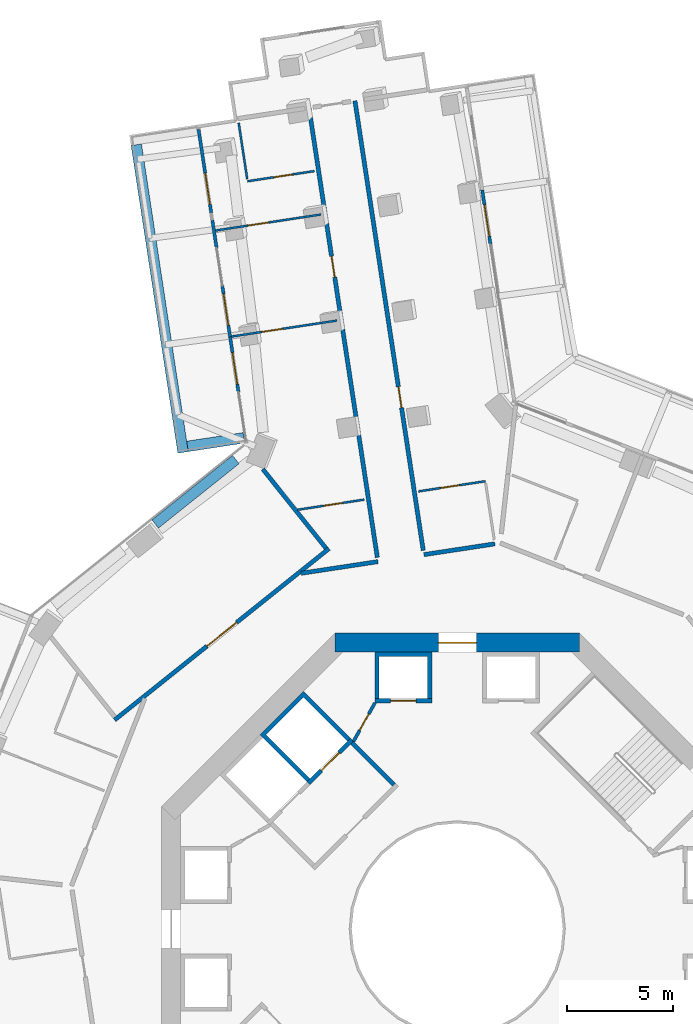
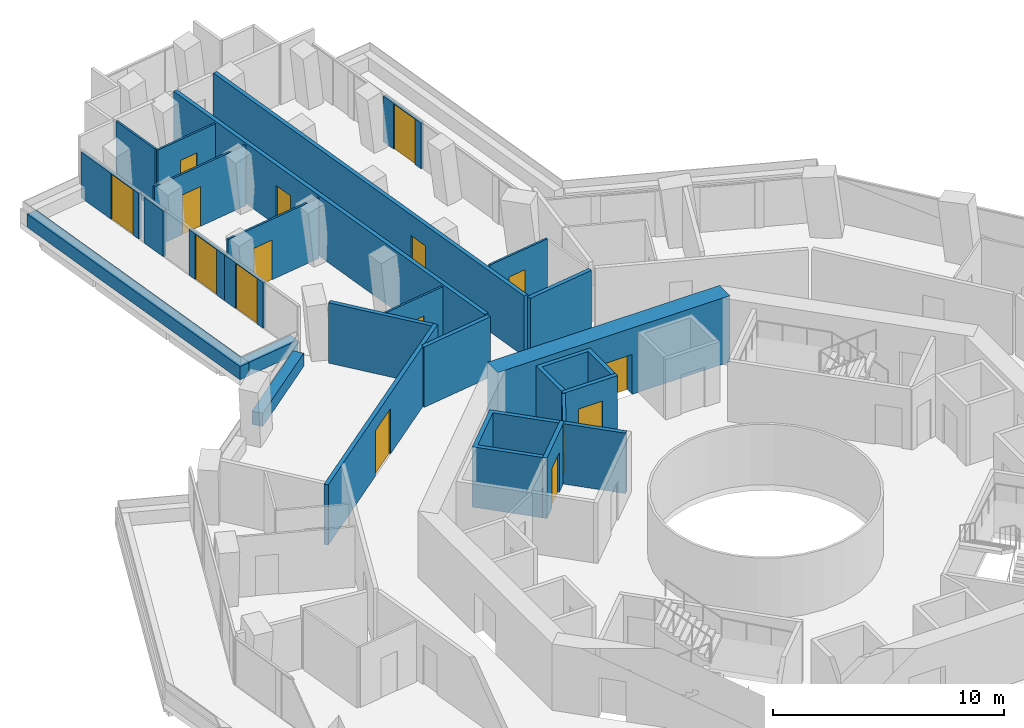
# One storey, part 23 of 28: 27 walls, 16 doors, 16 openings.
"""IFC4 building model written with IfcOpenShell, lengths in metres."""

from ifc_helpers import new_model, si_unit, direction, frame, frame_2d, origin, place, context, subcontext, project, spatial, polyline, rectangle, outline, extrude, material, layer, layer_set, type_object, element, fill, save


model = new_model("IFC4")

# Units and contexts
model_context = context("Model", 3, precision=1e-05, world=origin(), true_north=direction((0.0, 1.0)))
body_context = subcontext(model_context, "Body", "Model", "MODEL_VIEW")
ifc_project = project(units=[si_unit("LENGTHUNIT", "METRE"), si_unit("AREAUNIT", "SQUARE_METRE"), si_unit("VOLUMEUNIT", "CUBIC_METRE"), si_unit("PLANEANGLEUNIT", "RADIAN"), si_unit("MASSUNIT", "GRAM", prefix="KILO")], contexts=[model_context])

# Site, building, storey
site_placement = place(None, origin())
site = spatial("IfcSite", under=ifc_project, at=site_placement, CompositionType="ELEMENT")
building_placement = place(site_placement, origin())
building = spatial("IfcBuilding", under=site, at=building_placement, Name="Verdalira Terraces Hotel", CompositionType="ELEMENT")
storey_placement = place(building_placement, frame((0.0, 0.0, 68.0)))
storey = spatial("IfcBuildingStorey", under=building, at=storey_placement, Name="L15", CompositionType="ELEMENT", Elevation=68.0)

# Walls
ifc_material_1 = material(Name="Concrete C40", Category="concrete")
ifc_layer_1 = layer(ifc_material_1, 0.5)
ifc_layer_set_1 = layer_set([ifc_layer_1], Name="Balcony planter trough with tree")
wall_type_1 = type_object("IfcWallType", Name="Balcony planter trough with tree", PredefinedType="SOLIDWALL", material=ifc_layer_set_1)
wall_1_placement = place(storey_placement, frame((-15.200928, 37.134033, 0.0), z_axis=(0.0, 0.0, 1.0), x_axis=(0.150217083, -0.988653037, 0.0)))
element("IfcWall", 1, at=wall_1_placement, inside=storey, type_object=wall_type_1, Name="Balcony planter", PredefinedType="SOLIDWALL", context=body_context, shape_type="SweptSolid", body=[
    extrude(rectangle(XDim=14.737793, YDim=0.5, at=frame_2d((7.368896, 0.0))), origin(), (0.0, 0.0, 1.0), 0.699951),
])
wall_2_placement = place(storey_placement, frame((-12.777344, 22.848145, 0.0), z_axis=(0.0, 0.0, 1.0), x_axis=(0.988649233, 0.15024212, 0.0)))
element("IfcWall", 2, at=wall_2_placement, inside=storey, type_object=wall_type_1, Name="Balcony planter", PredefinedType="SOLIDWALL", context=body_context, shape_type="SweptSolid", body=[
    extrude(rectangle(XDim=2.698975, YDim=0.5, at=frame_2d((1.349609, 0.0))), origin(), (0.0, 0.0, 1.0), 0.699951),
])
ifc_material_2 = material(Name="Moisture-resistant gypsum board partition")
ifc_layer_2 = layer(ifc_material_2, 0.10009765625)
ifc_layer_set_2 = layer_set([ifc_layer_2], Name="Bathroom partition 100 mm")
wall_type_2 = type_object("IfcWallType", Name="Bathroom partition 100 mm", PredefinedType="PARTITIONING", material=ifc_layer_set_2)
wall_3_placement = place(storey_placement, frame((-10.352295, 38.174316, 0.0), z_axis=(0.0, 0.0, 1.0), x_axis=(0.150276776, -0.988643966, 0.0)))
element("IfcWall", 3, at=wall_3_placement, inside=storey, type_object=wall_type_2, Name="Bathroom partition", PredefinedType="PARTITIONING", context=body_context, shape_type="SweptSolid", body=[
    extrude(rectangle(XDim=2.700195, YDim=0.100098, at=frame_2d((1.350098, 0.0))), origin(), (0.0, 0.0, 1.0), 3.189941),
])

# Wall, opening, door
wall_4_placement = place(storey_placement, frame((-11.448242, 33.07251, 0.0), z_axis=(0.0, 0.0, 1.0), x_axis=(0.988654449, 0.150207793, 0.0)))
wall_4 = element("IfcWall", 4, at=wall_4_placement, inside=storey, type_object=wall_type_2, Name="Bathroom partition", PredefinedType="PARTITIONING", context=body_context, shape_type="SweptSolid", body=[
    extrude(rectangle(XDim=5.050049, YDim=0.100098, at=frame_2d((2.524902, 0.0))), origin(), (0.0, 0.0, 1.0), 3.189941),
])
opening_1_placement = place(wall_4_placement, frame((1.550049, 0.0, 0.0)))
opening_1 = element("IfcOpeningElement", 5, at=opening_1_placement, cuts=wall_4, Name="Opening L15-105", PredefinedType="OPENING", context=body_context, shape_type="SweptSolid", body=[
    extrude(rectangle(XDim=1.0, YDim=2.100098, at=frame_2d((0.5, 1.050049))), frame((0.0, 0.060059, 0.0), z_axis=(0.0, -1.0, 0.0), x_axis=(1.0, 0.0, 0.0)), (0.0, 0.0, 1.0), 0.120117),
])
ifc_material_3 = material(Name="Timber door", Category="wood")
door_type_1 = type_object("IfcDoorType", Name="Suite internal door 1000 x 2100", OperationType="NOTDEFINED", PredefinedType="DOOR", material=ifc_material_3)
door_1_placement = place(opening_1_placement, origin())
door_1 = element("IfcDoor", 6, at=door_1_placement, inside=storey, type_object=door_type_1, Name="Suite internal door 1503", OperationType="SINGLE_SWING_LEFT", OverallHeight=2.10009765625, OverallWidth=1.0, PredefinedType="DOOR", context=body_context, shape_type="SweptSolid", body=[
    extrude(rectangle(XDim=1.0, YDim=2.100098, at=frame_2d((0.5, 1.050049))), frame((0.0, 0.024902, 0.0), z_axis=(0.0, -1.0, 0.0), x_axis=(1.0, 0.0, 0.0)), (0.0, 0.0, 1.0), 0.050049),
])
fill(opening_1, door_1)

wall_5_placement = place(storey_placement, frame((-9.931641, 35.406006, 0.0), z_axis=(0.0, 0.0, 1.0), x_axis=(0.988653098, 0.15021668, 0.0)))
wall_5 = element("IfcWall", 7, at=wall_5_placement, inside=storey, type_object=wall_type_2, Name="Bathroom partition", PredefinedType="PARTITIONING", context=body_context, shape_type="SweptSolid", body=[
    extrude(rectangle(XDim=3.200195, YDim=0.100098, at=frame_2d((1.600098, 0.0))), origin(), (0.0, 0.0, 1.0), 3.189941),
])
opening_2_placement = place(wall_5_placement, frame((1.25, 0.0, 0.0)))
opening_2 = element("IfcOpeningElement", 8, at=opening_2_placement, cuts=wall_5, Name="Opening L15-107", PredefinedType="OPENING", context=body_context, shape_type="SweptSolid", body=[
    extrude(rectangle(XDim=0.899902, YDim=2.100098, at=frame_2d((0.449951, 1.050049))), frame((0.0, 0.060059, 0.0), z_axis=(0.0, -1.0, 0.0), x_axis=(1.0, 0.0, 0.0)), (0.0, 0.0, 1.0), 0.120117),
])
ifc_material_4 = material(Name="Timber door", Category="wood")
door_type_2 = type_object("IfcDoorType", Name="Bathroom door 900 x 2100", OperationType="NOTDEFINED", PredefinedType="DOOR", material=ifc_material_4)
door_2_placement = place(opening_2_placement, origin())
door_2 = element("IfcDoor", 9, at=door_2_placement, inside=storey, type_object=door_type_2, Name="Bathroom door 1503", OperationType="SINGLE_SWING_LEFT", OverallHeight=2.10009765625, OverallWidth=0.89990234375, PredefinedType="DOOR", context=body_context, shape_type="SweptSolid", body=[
    extrude(rectangle(XDim=0.899902, YDim=2.100098, at=frame_2d((0.449951, 1.050049))), frame((0.0, 0.024902, 0.0), z_axis=(0.0, -1.0, 0.0), x_axis=(1.0, 0.0, 0.0)), (0.0, 0.0, 1.0), 0.050049),
])
fill(opening_2, door_2)

wall_6_placement = place(storey_placement, frame((-5.692383, 28.809326, 0.0), z_axis=(0.0, 0.0, 1.0), x_axis=(-0.988655539, -0.150200614, 0.0)))
wall_6 = element("IfcWall", 10, at=wall_6_placement, inside=storey, type_object=wall_type_2, Name="Bathroom partition", PredefinedType="PARTITIONING", context=body_context, shape_type="SweptSolid", body=[
    extrude(rectangle(XDim=5.050293, YDim=0.100098, at=frame_2d((2.525146, 0.0))), origin(), (0.0, 0.0, 1.0), 3.189941),
])
opening_3_placement = place(wall_6_placement, frame((2.600098, 0.0, 0.0)))
opening_3 = element("IfcOpeningElement", 11, at=opening_3_placement, cuts=wall_6, Name="Opening L15-106", PredefinedType="OPENING", context=body_context, shape_type="SweptSolid", body=[
    extrude(rectangle(XDim=1.0, YDim=2.100098, at=frame_2d((0.5, 1.050049))), frame((0.0, 0.060059, 0.0), z_axis=(0.0, -1.0, 0.0), x_axis=(1.0, 0.0, 0.0)), (0.0, 0.0, 1.0), 0.120117),
])
door_3_placement = place(opening_3_placement, origin())
door_3 = element("IfcDoor", 12, at=door_3_placement, inside=storey, type_object=door_type_1, Name="Suite internal door 1503", OperationType="SINGLE_SWING_LEFT", OverallHeight=2.10009765625, OverallWidth=1.0, PredefinedType="DOOR", context=body_context, shape_type="SweptSolid", body=[
    extrude(rectangle(XDim=1.0, YDim=2.100098, at=frame_2d((0.5, 1.050049))), frame((0.0, 0.024902, 0.0), z_axis=(0.0, -1.0, 0.0), x_axis=(1.0, 0.0, 0.0)), (0.0, 0.0, 1.0), 0.050049),
])
fill(opening_3, door_3)

wall_7_placement = place(storey_placement, frame((-4.403809, 20.327393, 0.0), z_axis=(0.0, 0.0, 1.0), x_axis=(-0.988657544, -0.150187422, 0.0)))
wall_7 = element("IfcWall", 13, at=wall_7_placement, inside=storey, type_object=wall_type_2, Name="Bathroom partition", PredefinedType="PARTITIONING", context=body_context, shape_type="SweptSolid", body=[
    extrude(rectangle(XDim=3.199219, YDim=0.100098, at=frame_2d((1.599609, 0.0))), origin(), (0.0, 0.0, 1.0), 3.189941),
])
opening_4_placement = place(wall_7_placement, frame((1.050049, 0.0, 0.0)))
opening_4 = element("IfcOpeningElement", 14, at=opening_4_placement, cuts=wall_7, Name="Opening L15-108", PredefinedType="OPENING", context=body_context, shape_type="SweptSolid", body=[
    extrude(rectangle(XDim=0.899902, YDim=2.100098, at=frame_2d((0.449951, 1.050049))), frame((0.0, 0.060059, 0.0), z_axis=(0.0, -1.0, 0.0), x_axis=(1.0, 0.0, 0.0)), (0.0, 0.0, 1.0), 0.120117),
])
door_4_placement = place(opening_4_placement, origin())
door_4 = element("IfcDoor", 15, at=door_4_placement, inside=storey, type_object=door_type_2, Name="Bathroom door 1503", OperationType="SINGLE_SWING_RIGHT", OverallHeight=2.10009765625, OverallWidth=0.89990234375, PredefinedType="DOOR", context=body_context, shape_type="SweptSolid", body=[
    extrude(rectangle(XDim=0.899902, YDim=2.100098, at=frame_2d((0.449951, 1.050049))), frame((0.0, 0.024902, 0.0), z_axis=(0.0, -1.0, 0.0), x_axis=(1.0, 0.0, 0.0)), (0.0, 0.0, 1.0), 0.050049),
])
fill(opening_4, door_4)

wall_8_placement = place(storey_placement, frame((1.330566, 21.19873, 0.0), z_axis=(0.0, 0.0, 1.0), x_axis=(-0.988653098, -0.15021668, 0.0)))
wall_8 = element("IfcWall", 16, at=wall_8_placement, inside=storey, type_object=wall_type_2, Name="Bathroom partition", PredefinedType="PARTITIONING", context=body_context, shape_type="SweptSolid", body=[
    extrude(rectangle(XDim=3.200195, YDim=0.100098, at=frame_2d((1.600098, 0.0))), origin(), (0.0, 0.0, 1.0), 3.189941),
])
opening_5_placement = place(wall_8_placement, frame((1.25, 0.0, 0.0)))
opening_5 = element("IfcOpeningElement", 17, at=opening_5_placement, cuts=wall_8, Name="Opening L15-102", PredefinedType="OPENING", context=body_context, shape_type="SweptSolid", body=[
    extrude(rectangle(XDim=0.899902, YDim=2.100098, at=frame_2d((0.449951, 1.050049))), frame((0.0, 0.060059, 0.0), z_axis=(0.0, -1.0, 0.0), x_axis=(1.0, 0.0, 0.0)), (0.0, 0.0, 1.0), 0.120117),
])
door_5_placement = place(opening_5_placement, origin())
door_5 = element("IfcDoor", 18, at=door_5_placement, inside=storey, type_object=door_type_2, Name="Bathroom door 1501", OperationType="SINGLE_SWING_LEFT", OverallHeight=2.10009765625, OverallWidth=0.89990234375, PredefinedType="DOOR", context=body_context, shape_type="SweptSolid", body=[
    extrude(rectangle(XDim=0.899902, YDim=2.100098, at=frame_2d((0.449951, 1.050049))), frame((0.0, 0.024902, 0.0), z_axis=(0.0, -1.0, 0.0), x_axis=(1.0, 0.0, 0.0)), (0.0, 0.0, 1.0), 0.050049),
])
fill(opening_5, door_5)

# Wall
ifc_material_5 = material(Name="Concrete C50", Category="concrete")
ifc_layer_3 = layer(ifc_material_5, 0.199951171875)
ifc_layer_set_3 = layer_set([ifc_layer_3], Name="Core RC wall 200 C50")
wall_type_3 = type_object("IfcWallType", Name="Core RC wall 200 C50", PredefinedType="SOLIDWALL", material=ifc_layer_set_3)
wall_9_placement = place(storey_placement, origin())
element("IfcWall", 19, at=wall_9_placement, inside=storey, type_object=wall_type_3, Name="L15 shaft wall N2", PredefinedType="SOLIDWALL", context=body_context, shape_type="SweptSolid", body=[
    extrude(outline(polyline([(-3.899902, 10.899902), (-3.899902, 13.100098), (-1.199951, 13.100098), (-1.199951, 10.899902), (-1.399902, 10.899902), (-1.399902, 12.899902), (-3.699951, 12.899902), (-3.699951, 10.899902), (-3.899902, 10.899902)])), origin(), (0.0, 0.0, 1.0), 3.189941),
])

# Wall, opening, door
wall_10_placement = place(storey_placement, frame((-1.199951, 10.800049, 0.0), z_axis=(0.0, 0.0, 1.0), x_axis=(-1.0, 0.0, 0.0)))
wall_10 = element("IfcWall", 20, at=wall_10_placement, inside=storey, type_object=wall_type_3, Name="L15 shaft front wall N2", PredefinedType="SOLIDWALL", context=body_context, shape_type="SweptSolid", body=[
    extrude(rectangle(XDim=2.699951, YDim=0.199951, at=frame_2d((1.350098, 0.0))), origin(), (0.0, 0.0, 1.0), 3.189941),
])
opening_6_placement = place(wall_10_placement, frame((0.75, 0.0, 0.0)))
opening_6 = element("IfcOpeningElement", 21, at=opening_6_placement, cuts=wall_10, Name="Opening LD-L15-804", PredefinedType="OPENING", context=body_context, shape_type="SweptSolid", body=[
    extrude(rectangle(XDim=1.199951, YDim=2.100098, at=frame_2d((0.600098, 1.050049))), frame((0.0, 0.109863, 0.0), z_axis=(0.0, -1.0, 0.0), x_axis=(1.0, 0.0, 0.0)), (0.0, 0.0, 1.0), 0.219971),
])
ifc_material_6 = material(Name="Stainless steel", Category="steel")
door_type_3 = type_object("IfcDoorType", Name="Landing door 1200 x 2100", OperationType="NOTDEFINED", PredefinedType="DOOR", material=ifc_material_6)
door_6_placement = place(opening_6_placement, origin())
door_6 = element("IfcDoor", 22, at=door_6_placement, inside=storey, type_object=door_type_3, Name="Lift landing door LR4 L15", OperationType="DOUBLE_DOOR_SLIDING", OverallHeight=2.10009765625, OverallWidth=1.199951171875, PredefinedType="DOOR", context=body_context, shape_type="SweptSolid", body=[
    extrude(rectangle(XDim=1.199951, YDim=2.100098, at=frame_2d((0.600098, 1.050049))), frame((0.0, 0.024902, 0.0), z_axis=(0.0, -1.0, 0.0), x_axis=(1.0, 0.0, 0.0)), (0.0, 0.0, 1.0), 0.050049),
])
fill(opening_6, door_6)

# Wall
wall_11_placement = place(storey_placement, origin())
element("IfcWall", 23, at=wall_11_placement, inside=storey, type_object=wall_type_3, Name="L15 shaft wall F1", PredefinedType="SOLIDWALL", context=body_context, shape_type="SweptSolid", body=[
    extrude(outline(polyline([(-9.33374, 9.192383), (-7.283203, 11.24292), (-5.055908, 9.015625), (-5.197266, 8.874268), (-7.283203, 10.960205), (-9.051025, 9.192383), (-6.965088, 7.106445), (-7.106445, 6.965088), (-9.33374, 9.192383)])), origin(), (0.0, 0.0, 1.0), 3.189941),
])

# Wall, opening, door
wall_12_placement = place(storey_placement, frame((-4.985107, 8.944824, 0.0), z_axis=(0.0, 0.0, 1.0), x_axis=(-0.707106781, -0.707106781, 0.0)))
wall_12 = element("IfcWall", 24, at=wall_12_placement, inside=storey, type_object=wall_type_3, Name="L15 shaft front wall F1", PredefinedType="SOLIDWALL", context=body_context, shape_type="SweptSolid", body=[
    extrude(rectangle(XDim=2.899902, YDim=0.199951, at=frame_2d((1.449951, 0.0))), origin(), (0.0, 0.0, 1.0), 3.189941),
])
opening_7_placement = place(wall_12_placement, frame((0.850098, 0.0, 0.0)))
opening_7 = element("IfcOpeningElement", 25, at=opening_7_placement, cuts=wall_12, Name="Opening LD-L15-807", PredefinedType="OPENING", context=body_context, shape_type="SweptSolid", body=[
    extrude(rectangle(XDim=1.199951, YDim=2.100098, at=frame_2d((0.600098, 1.050049))), frame((0.0, 0.109863, 0.0), z_axis=(0.0, -1.0, 0.0), x_axis=(1.0, 0.0, 0.0)), (0.0, 0.0, 1.0), 0.219971),
])
door_7_placement = place(opening_7_placement, origin())
door_7 = element("IfcDoor", 26, at=door_7_placement, inside=storey, type_object=door_type_3, Name="Lift landing door LF11 L15", OperationType="DOUBLE_DOOR_SLIDING", OverallHeight=2.10009765625, OverallWidth=1.199951171875, PredefinedType="DOOR", context=body_context, shape_type="SweptSolid", body=[
    extrude(rectangle(XDim=1.199951, YDim=2.100098, at=frame_2d((0.600098, 1.050049))), frame((0.0, 0.024902, 0.0), z_axis=(0.0, -1.0, 0.0), x_axis=(1.0, 0.0, 0.0)), (0.0, 0.0, 1.0), 0.050049),
])
fill(opening_7, door_7)

# Wall
wall_13_placement = place(storey_placement, frame((-3.005127, 6.823486, 0.0), z_axis=(0.0, 0.0, 1.0), x_axis=(-0.707106781, 0.707106781, 0.0)))
element("IfcWall", 27, at=wall_13_placement, inside=storey, type_object=wall_type_3, Name="L15 fire lobby wall", PredefinedType="SOLIDWALL", context=body_context, shape_type="SweptSolid", body=[
    extrude(rectangle(XDim=2.800049, YDim=0.199951, at=frame_2d((1.399902, 0.0))), origin(), (0.0, 0.0, 1.0), 3.189941),
])

# Wall, opening, door
ifc_material_7 = material(Name="Gypsum board partition")
ifc_layer_4 = layer(ifc_material_7, 0.14990234375)
ifc_layer_set_4 = layer_set([ifc_layer_4], Name="Core partition 150 mm")
wall_type_4 = type_object("IfcWallType", Name="Core partition 150 mm", PredefinedType="PARTITIONING", material=ifc_layer_set_4)
wall_14_placement = place(storey_placement, frame((-3.899902, 10.699951, 0.0), z_axis=(0.0, 0.0, 1.0), x_axis=(-0.485692555, -0.874129705, 0.0)))
wall_14 = element("IfcWall", 28, at=wall_14_placement, inside=storey, type_object=wall_type_4, Name="Room partition L15", PredefinedType="PARTITIONING", context=body_context, shape_type="SweptSolid", body=[
    extrude(rectangle(XDim=2.088623, YDim=0.149902, at=frame_2d((1.044434, 0.0))), origin(), (0.0, 0.0, 1.0), 3.189941),
])
opening_8_placement = place(wall_14_placement, frame((0.594238, 0.0, 0.0)))
opening_8 = element("IfcOpeningElement", 29, at=opening_8_placement, cuts=wall_14, Name="Opening L15-821", PredefinedType="OPENING", context=body_context, shape_type="SweptSolid", body=[
    extrude(rectangle(XDim=0.899902, YDim=2.100098, at=frame_2d((0.449951, 1.050049))), frame((0.0, 0.084961, 0.0), z_axis=(0.0, -1.0, 0.0), x_axis=(1.0, 0.0, 0.0)), (0.0, 0.0, 1.0), 0.169922),
])
ifc_material_8 = material(Name="Steel fire door", Category="steel")
door_type_4 = type_object("IfcDoorType", Name="Core room door 900 x 2100", OperationType="NOTDEFINED", PredefinedType="DOOR", material=ifc_material_8)
door_8_placement = place(opening_8_placement, origin())
door_8 = element("IfcDoor", 30, at=door_8_placement, inside=storey, type_object=door_type_4, Name="Door L15 room2", OperationType="SINGLE_SWING_LEFT", OverallHeight=2.10009765625, OverallWidth=0.89990234375, PredefinedType="DOOR", context=body_context, shape_type="SweptSolid", body=[
    extrude(rectangle(XDim=0.899902, YDim=2.100098, at=frame_2d((0.449951, 1.050049))), frame((0.0, 0.024902, 0.0), z_axis=(0.0, -1.0, 0.0), x_axis=(1.0, 0.0, 0.0)), (0.0, 0.0, 1.0), 0.050049),
])
fill(opening_8, door_8)

ifc_material_9 = material(Name="Concrete C70", Category="concrete")
ifc_layer_5 = layer(ifc_material_9, 0.89990234375)
ifc_layer_set_5 = layer_set([ifc_layer_5], Name="Core wall 900 C70")
wall_type_5 = type_object("IfcWallType", Name="Core wall 900 C70", PredefinedType="SHEAR", material=ifc_layer_set_5)
wall_15_placement = place(storey_placement, frame((5.799072, 13.550049, 0.0), z_axis=(0.0, 0.0, 1.0), x_axis=(-1.0, 0.0, 0.0)))
wall_15 = element("IfcWall", 31, at=wall_15_placement, inside=storey, type_object=wall_type_5, Name="Core wall CW-L15-3", PredefinedType="SHEAR", context=body_context, shape_type="SweptSolid", body=[
    extrude(rectangle(XDim=11.598145, YDim=0.899902, at=frame_2d((5.799072, 0.0))), origin(), (0.0, 0.0, 1.0), 3.5),
])
opening_9_placement = place(wall_15_placement, frame((4.898926, 0.0, 0.0)))
opening_9 = element("IfcOpeningElement", 32, at=opening_9_placement, cuts=wall_15, Name="Opening L15-813", PredefinedType="OPENING", context=body_context, shape_type="SweptSolid", body=[
    extrude(rectangle(XDim=1.800049, YDim=2.100098, at=frame_2d((0.899902, 1.050049))), frame((0.0, 0.459961, 0.0), z_axis=(0.0, -1.0, 0.0), x_axis=(1.0, 0.0, 0.0)), (0.0, 0.0, 1.0), 0.919922),
])
ifc_material_10 = material(Name="Steel fire door", Category="steel")
door_type_5 = type_object("IfcDoorType", Name="Core entry door pair 1800 x 2100", OperationType="NOTDEFINED", PredefinedType="DOOR", material=ifc_material_10)
door_9_placement = place(opening_9_placement, origin())
door_9 = element("IfcDoor", 33, at=door_9_placement, inside=storey, type_object=door_type_5, Name="Core entry door L15 2", OperationType="DOUBLE_DOOR_SINGLE_SWING", OverallHeight=2.10009765625, OverallWidth=1.800048828125, PredefinedType="DOOR", context=body_context, shape_type="SweptSolid", body=[
    extrude(rectangle(XDim=1.800049, YDim=2.100098, at=frame_2d((0.899902, 1.050049))), frame((0.0, 0.024902, 0.0), z_axis=(0.0, -1.0, 0.0), x_axis=(1.0, 0.0, 0.0)), (0.0, 0.0, 1.0), 0.050049),
])
fill(opening_9, door_9)

# Wall
ifc_material_11 = material(Name="Fire-rated gypsum board wall")
ifc_layer_6 = layer(ifc_material_11, 0.199951171875)
ifc_layer_set_6 = layer_set([ifc_layer_6], Name="Guest corridor wall 200 mm")
wall_type_6 = type_object("IfcWallType", Name="Guest corridor wall 200 mm", PredefinedType="SOLIDWALL", material=ifc_layer_set_6)
wall_16_placement = place(storey_placement, frame((-3.755371, 17.391602, 0.0), z_axis=(0.0, 0.0, 1.0), x_axis=(-0.988654649, -0.150206477, 0.0)))
element("IfcWall", 34, at=wall_16_placement, inside=storey, type_object=wall_type_6, Name="Guest corridor wall", PredefinedType="SOLIDWALL", context=body_context, shape_type="SweptSolid", body=[
    extrude(rectangle(XDim=3.678223, YDim=0.199951, at=frame_2d((1.839111, 0.0))), origin(), (0.0, 0.0, 1.0), 3.189941),
])

# Wall, opening, door
wall_17_placement = place(storey_placement, frame((-3.7854, 17.589355, 0.0), z_axis=(0.0, 0.0, 1.0), x_axis=(-0.150228123, 0.98865136, 0.0)))
wall_17 = element("IfcWall", 35, at=wall_17_placement, inside=storey, type_object=wall_type_6, Name="Guest corridor wall", PredefinedType="SOLIDWALL", context=body_context, shape_type="SweptSolid", body=[
    extrude(rectangle(XDim=21.537842, YDim=0.199951, at=frame_2d((10.769043, 0.0))), origin(), (0.0, 0.0, 1.0), 3.189941),
])
opening_10_placement = place(wall_17_placement, frame((13.429199, 0.0, 0.0)))
opening_10 = element("IfcOpeningElement", 36, at=opening_10_placement, cuts=wall_17, Name="Opening L15-104", PredefinedType="OPENING", context=body_context, shape_type="SweptSolid", body=[
    extrude(rectangle(XDim=1.0, YDim=2.100098, at=frame_2d((0.5, 1.050049))), frame((0.0, 0.109863, 0.0), z_axis=(0.0, -1.0, 0.0), x_axis=(1.0, 0.0, 0.0)), (0.0, 0.0, 1.0), 0.219971),
])
ifc_material_12 = material(Name="Timber fire door", Category="wood")
door_type_6 = type_object("IfcDoorType", Name="Guest entry door 1000 x 2100", OperationType="NOTDEFINED", PredefinedType="DOOR", material=ifc_material_12)
door_10_placement = place(opening_10_placement, origin())
door_10 = element("IfcDoor", 37, at=door_10_placement, inside=storey, type_object=door_type_6, Name="Guest entry door 1503", OperationType="SINGLE_SWING_LEFT", OverallHeight=2.10009765625, OverallWidth=1.0, PredefinedType="DOOR", context=body_context, shape_type="SweptSolid", body=[
    extrude(rectangle(XDim=1.0, YDim=2.100098, at=frame_2d((0.5, 1.050049))), frame((0.0, 0.024902, 0.0), z_axis=(0.0, -1.0, 0.0), x_axis=(1.0, 0.0, 0.0)), (0.0, 0.0, 1.0), 0.050049),
])
fill(opening_10, door_10)

wall_18_placement = place(storey_placement, frame((-4.845703, 39.213135, 0.0), z_axis=(0.0, 0.0, 1.0), x_axis=(0.150218727, -0.988652787, 0.0)))
wall_18 = element("IfcWall", 38, at=wall_18_placement, inside=storey, type_object=wall_type_6, Name="Guest corridor wall", PredefinedType="SOLIDWALL", context=body_context, shape_type="SweptSolid", body=[
    extrude(rectangle(XDim=21.537598, YDim=0.199951, at=frame_2d((10.768799, 0.0))), origin(), (0.0, 0.0, 1.0), 3.189941),
])
opening_11_placement = place(wall_18_placement, frame((13.699951, 0.0, 0.0)))
opening_11 = element("IfcOpeningElement", 39, at=opening_11_placement, cuts=wall_18, Name="Opening L15-101", PredefinedType="OPENING", context=body_context, shape_type="SweptSolid", body=[
    extrude(rectangle(XDim=1.0, YDim=2.100098, at=frame_2d((0.5, 1.050049))), frame((0.0, 0.109863, 0.0), z_axis=(0.0, -1.0, 0.0), x_axis=(1.0, 0.0, 0.0)), (0.0, 0.0, 1.0), 0.219971),
])
door_11_placement = place(opening_11_placement, origin())
door_11 = element("IfcDoor", 40, at=door_11_placement, inside=storey, type_object=door_type_6, Name="Guest entry door 1501", OperationType="SINGLE_SWING_LEFT", OverallHeight=2.10009765625, OverallWidth=1.0, PredefinedType="DOOR", context=body_context, shape_type="SweptSolid", body=[
    extrude(rectangle(XDim=1.0, YDim=2.100098, at=frame_2d((0.5, 1.050049))), frame((0.0, 0.024902, 0.0), z_axis=(0.0, -1.0, 0.0), x_axis=(1.0, 0.0, 0.0)), (0.0, 0.0, 1.0), 0.050049),
])
fill(opening_11, door_11)

# Wall
wall_19_placement = place(storey_placement, frame((1.78125, 18.23291, 0.0), z_axis=(0.0, 0.0, 1.0), x_axis=(-0.988652246, -0.150222291, 0.0)))
element("IfcWall", 41, at=wall_19_placement, inside=storey, type_object=wall_type_6, Name="Guest corridor wall", PredefinedType="SOLIDWALL", context=body_context, shape_type="SweptSolid", body=[
    extrude(rectangle(XDim=3.399902, YDim=0.199951, at=frame_2d((1.699951, 0.0))), origin(), (0.0, 0.0, 1.0), 3.189941),
])

# Wall, opening, door
ifc_material_13 = material(Name="Terracotta cladding", Category="masonry")
ifc_layer_7 = layer(ifc_material_13, 0.199951171875)
ifc_layer_set_7 = layer_set([ifc_layer_7], Name="Loggia back wall 200")
wall_type_7 = type_object("IfcWallType", Name="Loggia back wall 200", PredefinedType="SOLIDWALL", material=ifc_layer_set_7)
wall_20_placement = place(storey_placement, frame((-16.228271, 9.890137, 0.0), z_axis=(0.0, 0.0, 1.0), x_axis=(0.781086795, 0.624422468, 0.0)))
wall_20 = element("IfcWall", 42, at=wall_20_placement, inside=storey, type_object=wall_type_7, Name="Loggia back wall", PredefinedType="SOLIDWALL", context=body_context, shape_type="SweptSolid", body=[
    extrude(rectangle(XDim=13.0, YDim=0.199951, at=frame_2d((6.5, 0.0))), origin(), (0.0, 0.0, 1.0), 3.189941),
])
opening_12_placement = place(wall_20_placement, frame((5.600098, 0.0, 0.0)))
opening_12 = element("IfcOpeningElement", 43, at=opening_12_placement, cuts=wall_20, Name="Opening L15-L01", PredefinedType="OPENING", context=body_context, shape_type="SweptSolid", body=[
    extrude(rectangle(XDim=1.800049, YDim=2.399902, at=frame_2d((0.899902, 1.199951))), frame((0.0, 0.109863, 0.0), z_axis=(0.0, -1.0, 0.0), x_axis=(1.0, 0.0, 0.0)), (0.0, 0.0, 1.0), 0.219971),
])
ifc_material_14 = material(Name="Clear glass", Category="glass")
door_type_7 = type_object("IfcDoorType", Name="Garden double door 1800x2400", OperationType="NOTDEFINED", PredefinedType="DOOR", material=ifc_material_14)
door_12_placement = place(opening_12_placement, origin())
door_12 = element("IfcDoor", 44, at=door_12_placement, inside=storey, type_object=door_type_7, Name="Loggia double door", OperationType="DOUBLE_DOOR_SINGLE_SWING", OverallHeight=2.39990234375, OverallWidth=1.800048828125, PredefinedType="DOOR", context=body_context, shape_type="SweptSolid", body=[
    extrude(rectangle(XDim=1.800049, YDim=2.399902, at=frame_2d((0.899902, 1.199951))), frame((0.0, 0.024902, 0.0), z_axis=(0.0, -1.0, 0.0), x_axis=(1.0, 0.0, 0.0)), (0.0, 0.0, 1.0), 0.050049),
])
fill(opening_12, door_12)

# Walls
wall_21_placement = place(storey_placement, frame((-9.209229, 21.769287, 0.0), z_axis=(0.0, 0.0, 1.0), x_axis=(0.624409437, -0.781097212, 0.0)))
element("IfcWall", 45, at=wall_21_placement, inside=storey, type_object=wall_type_7, Name="Loggia side wall", PredefinedType="SOLIDWALL", context=body_context, shape_type="SweptSolid", body=[
    extrude(rectangle(XDim=4.795898, YDim=0.199951, at=frame_2d((2.397949, 0.0))), origin(), (0.0, 0.0, 1.0), 3.189941),
])
ifc_material_15 = material(Name="Concrete C40", Category="concrete")
ifc_layer_8 = layer(ifc_material_15, 0.5)
ifc_layer_set_8 = layer_set([ifc_layer_8], Name="Loggia planter trough with tree")
wall_type_8 = type_object("IfcWallType", Name="Loggia planter trough with tree", PredefinedType="SOLIDWALL", material=ifc_layer_set_8)
wall_22_placement = place(storey_placement, frame((-10.489746, 22.223389, 0.0), z_axis=(0.0, 0.0, 1.0), x_axis=(-0.781093119, -0.624414558, 0.0)))
element("IfcWall", 46, at=wall_22_placement, inside=storey, type_object=wall_type_8, Name="Loggia planter", PredefinedType="SOLIDWALL", context=body_context, shape_type="SweptSolid", body=[
    extrude(rectangle(XDim=4.883545, YDim=0.5, at=frame_2d((2.441895, 0.0))), origin(), (0.0, 0.0, 1.0), 0.699951),
])
ifc_material_16 = material(Name="Terracotta cladding", Category="masonry")
ifc_layer_9 = layer(ifc_material_16, 0.14990234375)
ifc_layer_set_9 = layer_set([ifc_layer_9], Name="Terracotta column pier 150")
wall_type_9 = type_object("IfcWallType", Name="Terracotta column pier 150", PredefinedType="SOLIDWALL", material=ifc_layer_set_9)
wall_23_placement = place(storey_placement, frame((-11.597412, 33.55542, 0.0), z_axis=(0.0, 0.0, 1.0), x_axis=(0.150221204, -0.988652411, 0.0)))
element("IfcWall", 47, at=wall_23_placement, inside=storey, type_object=wall_type_9, Name="Terracotta column pier", PredefinedType="SOLIDWALL", context=body_context, shape_type="SweptSolid", body=[
    extrude(rectangle(XDim=1.339111, YDim=0.149902, at=frame_2d((0.669434, 0.0))), origin(), (0.0, 0.0, 1.0), 2.425049),
])

# Wall, opening, door
ifc_material_17 = material(Name="Terracotta cladding", Category="masonry")
ifc_layer_10 = layer(ifc_material_17, 0.14990234375)
ifc_layer_set_10 = layer_set([ifc_layer_10], Name="Terracotta door pier 150")
wall_type_10 = type_object("IfcWallType", Name="Terracotta door pier 150", PredefinedType="SOLIDWALL", material=ifc_layer_set_10)
wall_24_placement = place(storey_placement, frame((1.575195, 32.402832, 0.0), z_axis=(0.0, 0.0, 1.0), x_axis=(-0.150214162, 0.988653481, 0.0)))
wall_24 = element("IfcWall", 48, at=wall_24_placement, inside=storey, type_object=wall_type_10, Name="Terracotta door pier", PredefinedType="SOLIDWALL", context=body_context, shape_type="SweptSolid", body=[
    extrude(rectangle(XDim=2.618408, YDim=0.149902, at=frame_2d((1.309082, 0.0))), origin(), (0.0, 0.0, 1.0), 2.425049),
])
opening_13_placement = place(wall_24_placement, frame((0.399902, 0.0, 0.0)))
opening_13 = element("IfcOpeningElement", 49, at=opening_13_placement, cuts=wall_24, Name="Opening L15-B02", PredefinedType="OPENING", context=body_context, shape_type="SweptSolid", body=[
    extrude(rectangle(XDim=1.5, YDim=2.399902, at=frame_2d((0.75, 1.199951))), frame((0.0, 0.084961, 0.0), z_axis=(0.0, -1.0, 0.0), x_axis=(1.0, 0.0, 0.0)), (0.0, 0.0, 1.0), 0.169922),
])
ifc_material_18 = material(Name="Clear glass", Category="glass")
door_type_8 = type_object("IfcDoorType", Name="Balcony sliding door 1500x2400", OperationType="NOTDEFINED", PredefinedType="DOOR", material=ifc_material_18)
door_13_placement = place(opening_13_placement, origin())
door_13 = element("IfcDoor", 50, at=door_13_placement, inside=storey, type_object=door_type_8, Name="Balcony sliding door", OperationType="SLIDING_TO_RIGHT", OverallHeight=2.39990234375, OverallWidth=1.5, PredefinedType="DOOR", context=body_context, shape_type="SweptSolid", body=[
    extrude(rectangle(XDim=1.5, YDim=2.399902, at=frame_2d((0.75, 1.199951))), frame((0.0, 0.024902, 0.0), z_axis=(0.0, -1.0, 0.0), x_axis=(1.0, 0.0, 0.0)), (0.0, 0.0, 1.0), 0.050049),
])
fill(opening_13, door_13)

wall_25_placement = place(storey_placement, frame((-12.252441, 37.865234, 0.0), z_axis=(0.0, 0.0, 1.0), x_axis=(0.150261525, -0.988646284, 0.0)))
wall_25 = element("IfcWall", 51, at=wall_25_placement, inside=storey, type_object=wall_type_10, Name="Terracotta door pier", PredefinedType="SOLIDWALL", context=body_context, shape_type="SweptSolid", body=[
    extrude(rectangle(XDim=3.995361, YDim=0.149902, at=frame_2d((1.997559, 0.0))), origin(), (0.0, 0.0, 1.0), 2.425049),
])
opening_14_placement = place(wall_25_placement, frame((2.095215, 0.0, 0.0)))
opening_14 = element("IfcOpeningElement", 52, at=opening_14_placement, cuts=wall_25, Name="Opening L15-B04", PredefinedType="OPENING", context=body_context, shape_type="SweptSolid", body=[
    extrude(rectangle(XDim=1.5, YDim=2.399902, at=frame_2d((0.75, 1.199951))), frame((0.0, 0.084961, 0.0), z_axis=(0.0, -1.0, 0.0), x_axis=(1.0, 0.0, 0.0)), (0.0, 0.0, 1.0), 0.169922),
])
door_14_placement = place(opening_14_placement, origin())
door_14 = element("IfcDoor", 53, at=door_14_placement, inside=storey, type_object=door_type_8, Name="Balcony sliding door", OperationType="SLIDING_TO_LEFT", OverallHeight=2.39990234375, OverallWidth=1.5, PredefinedType="DOOR", context=body_context, shape_type="SweptSolid", body=[
    extrude(rectangle(XDim=1.5, YDim=2.399902, at=frame_2d((0.75, 1.199951))), frame((0.0, 0.024902, 0.0), z_axis=(0.0, -1.0, 0.0), x_axis=(1.0, 0.0, 0.0)), (0.0, 0.0, 1.0), 0.050049),
])
fill(opening_14, door_14)

wall_26_placement = place(storey_placement, frame((-11.127441, 30.46167, 0.0), z_axis=(0.0, 0.0, 1.0), x_axis=(0.150274727, -0.988644277, 0.0)))
wall_26 = element("IfcWall", 54, at=wall_26_placement, inside=storey, type_object=wall_type_10, Name="Terracotta door pier", PredefinedType="SOLIDWALL", context=body_context, shape_type="SweptSolid", body=[
    extrude(rectangle(XDim=2.449951, YDim=0.149902, at=frame_2d((1.225098, 0.0))), origin(), (0.0, 0.0, 1.0), 2.425049),
])
opening_15_placement = place(wall_26_placement, frame((0.399902, 0.0, 0.0)))
opening_15 = element("IfcOpeningElement", 55, at=opening_15_placement, cuts=wall_26, Name="Opening L15-B05", PredefinedType="OPENING", context=body_context, shape_type="SweptSolid", body=[
    extrude(rectangle(XDim=1.5, YDim=2.399902, at=frame_2d((0.75, 1.199951))), frame((0.0, 0.084961, 0.0), z_axis=(0.0, -1.0, 0.0), x_axis=(1.0, 0.0, 0.0)), (0.0, 0.0, 1.0), 0.169922),
])
door_15_placement = place(opening_15_placement, origin())
door_15 = element("IfcDoor", 56, at=door_15_placement, inside=storey, type_object=door_type_8, Name="Balcony sliding door", OperationType="SLIDING_TO_RIGHT", OverallHeight=2.39990234375, OverallWidth=1.5, PredefinedType="DOOR", context=body_context, shape_type="SweptSolid", body=[
    extrude(rectangle(XDim=1.5, YDim=2.399902, at=frame_2d((0.75, 1.199951))), frame((0.0, 0.024902, 0.0), z_axis=(0.0, -1.0, 0.0), x_axis=(1.0, 0.0, 0.0)), (0.0, 0.0, 1.0), 0.050049),
])
fill(opening_15, door_15)

wall_27_placement = place(storey_placement, frame((-10.759277, 28.039551, 0.0), z_axis=(0.0, 0.0, 1.0), x_axis=(0.150169285, -0.988660299, 0.0)))
wall_27 = element("IfcWall", 57, at=wall_27_placement, inside=storey, type_object=wall_type_10, Name="Terracotta door pier", PredefinedType="SOLIDWALL", context=body_context, shape_type="SweptSolid", body=[
    extrude(rectangle(XDim=2.663086, YDim=0.149902, at=frame_2d((1.331543, 0.0))), origin(), (0.0, 0.0, 1.0), 2.425049),
])
opening_16_placement = place(wall_27_placement, frame((0.762939, 0.0, 0.0)))
opening_16 = element("IfcOpeningElement", 58, at=opening_16_placement, cuts=wall_27, Name="Opening L15-B06", PredefinedType="OPENING", context=body_context, shape_type="SweptSolid", body=[
    extrude(rectangle(XDim=1.5, YDim=2.399902, at=frame_2d((0.75, 1.199951))), frame((0.0, 0.084961, 0.0), z_axis=(0.0, -1.0, 0.0), x_axis=(1.0, 0.0, 0.0)), (0.0, 0.0, 1.0), 0.169922),
])
door_16_placement = place(opening_16_placement, origin())
door_16 = element("IfcDoor", 59, at=door_16_placement, inside=storey, type_object=door_type_8, Name="Balcony sliding door", OperationType="SLIDING_TO_LEFT", OverallHeight=2.39990234375, OverallWidth=1.5, PredefinedType="DOOR", context=body_context, shape_type="SweptSolid", body=[
    extrude(rectangle(XDim=1.5, YDim=2.399902, at=frame_2d((0.75, 1.199951))), frame((0.0, 0.024902, 0.0), z_axis=(0.0, -1.0, 0.0), x_axis=(1.0, 0.0, 0.0)), (0.0, 0.0, 1.0), 0.050049),
])
fill(opening_16, door_16)

save(model, "model.ifc")
